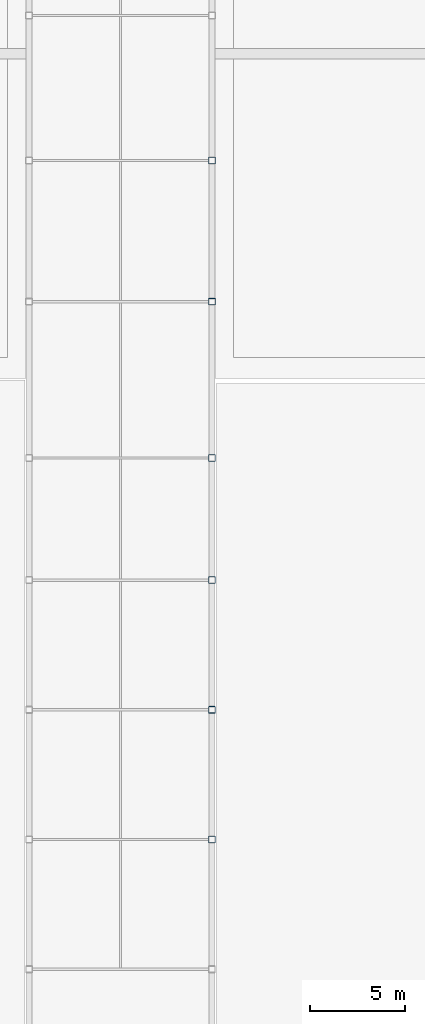
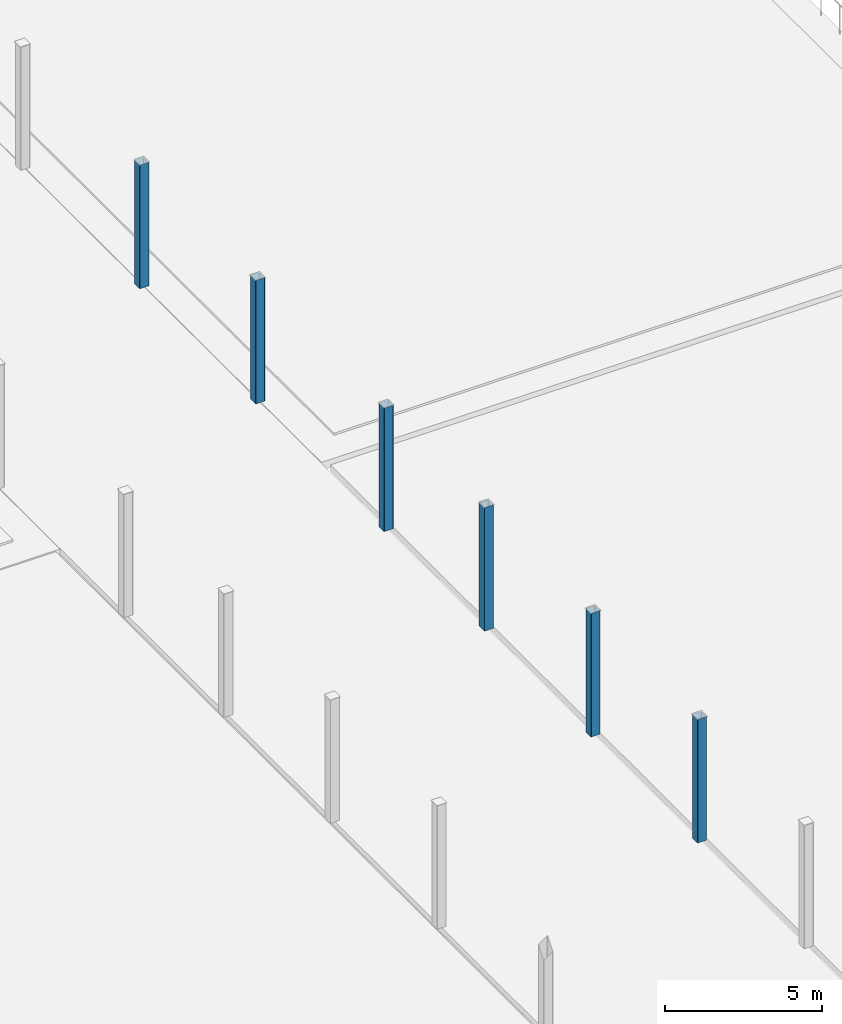
# One storey, part 18 of 97: 6 columns.
"""IFC4 building model written with IfcOpenShell, lengths in metres."""

from ifc_helpers import new_model, si_unit, direction, frame, origin, origin_2d, place, context, subcontext, project, spatial, hollow_rectangle, extrude, material, material_profile, profile_set, type_object, element, save


model = new_model("IFC4")

# Units and contexts
model_context = context("Model", 3, precision=1e-05, world=origin(), true_north=direction((0.0, 1.0)))
body_context = subcontext(model_context, "Body", "Model", "MODEL_VIEW")
ifc_project = project(units=[si_unit("LENGTHUNIT", "METRE"), si_unit("AREAUNIT", "SQUARE_METRE"), si_unit("VOLUMEUNIT", "CUBIC_METRE"), si_unit("PLANEANGLEUNIT", "RADIAN"), si_unit("MASSUNIT", "GRAM", prefix="KILO")], contexts=[model_context])

# Site, building, storey
site_placement = place(None, origin())
site = spatial("IfcSite", under=ifc_project, at=site_placement, CompositionType="ELEMENT")
building_placement = place(site_placement, origin())
building = spatial("IfcBuilding", under=site, at=building_placement, Name="Kisaragi Civic Commons", CompositionType="ELEMENT")
storey_placement = place(building_placement, origin())
storey = spatial("IfcBuildingStorey", under=building, at=storey_placement, Name="L00", CompositionType="ELEMENT", Elevation=0.0)

# Columns
ifc_material = material(Name="Steel BCR295", Category="steel")
ifc_material_profile = material_profile(ifc_material, hollow_rectangle(XDim=0.35009765625, YDim=0.35009765625, WallThickness=0.011962890625, InnerFilletRadius=0.011962890625, OuterFilletRadius=0.02392578125, at=origin_2d()), Name="BCR-350x350x12", Category="steel")
ifc_profile_set = profile_set([ifc_material_profile], Name="Steel BCR295")
column_type = type_object("IfcColumnType", Name="C-13", PredefinedType="COLUMN", material=ifc_profile_set)
for number, where, z_axis, x_axis, name in (
    (1, (133.199951171875, 38.0, 0.0), (0.0, 0.0, 1.0), (1.0, 0.0, 0.0), "L00 column C-13 (133.2,38.0)"),
    (2, (133.199951171875, 44.800048828125, 0.0), (0.0, 0.0, 1.0), (1.0, 0.0, 0.0), "L00 column C-13 (133.2,44.8)"),
    (3, (133.199951171875, 51.60009765625, 0.0), (0.0, 0.0, 1.0), (1.0, 0.0, 0.0), "L00 column C-13 (133.2,51.6)"),
    (4, (133.199951171875, 58.0, 0.0), (0.0, 0.0, 1.0), (1.0, 0.0, 0.0), "L00 column C-13 (133.2,58.0)"),
    (5, (133.199951171875, 66.199951171875, 0.0), (0.0, 0.0, 1.0), (1.0, 0.0, 0.0), "L00 column C-13 (133.2,66.2)"),
    (6, (133.199951171875, 73.60009765625, 0.0), (0.0, 0.0, 1.0), (1.0, 0.0, 0.0), "L00 column C-13 (133.2,73.6)"),
):
    element("IfcColumn", number, at=place(storey_placement, frame(where, z_axis=z_axis, x_axis=x_axis)), inside=storey, type_object=column_type, Name=name, PredefinedType="COLUMN", context=body_context, shape_type="SweptSolid", body=[
        extrude(hollow_rectangle(XDim=0.35009765625, YDim=0.35009765625, WallThickness=0.011962890625, InnerFilletRadius=0.011962890625, OuterFilletRadius=0.02392578125, at=origin_2d()), origin(), (0.0, 0.0, 1.0), 4.800048828125),
    ])

save(model, "model.ifc")
